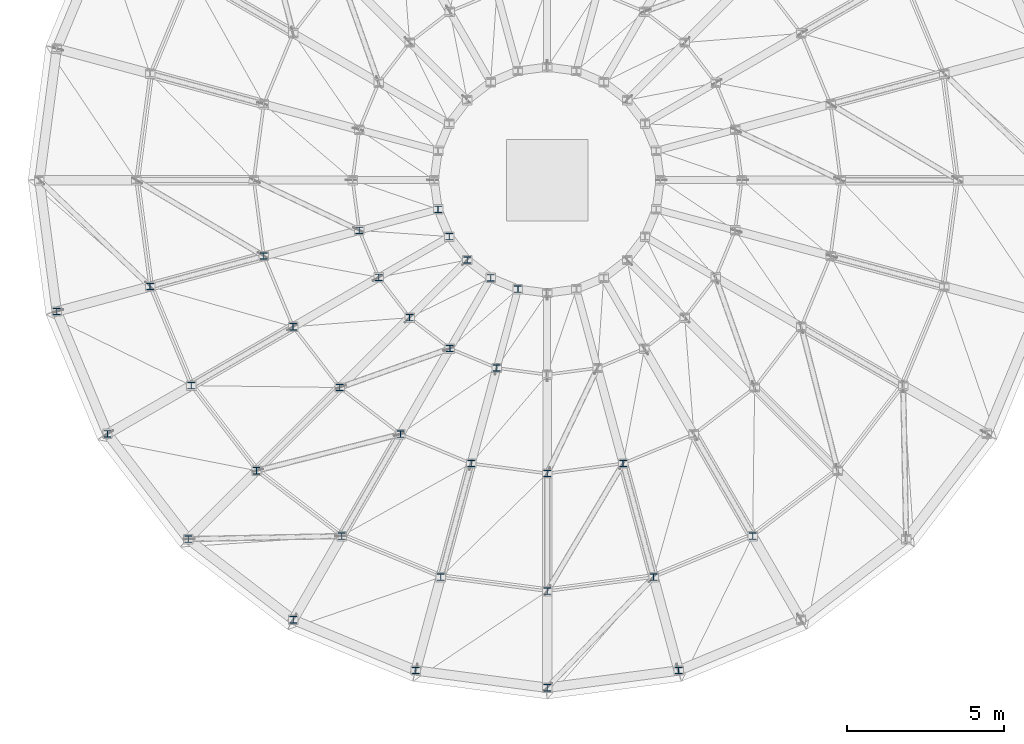
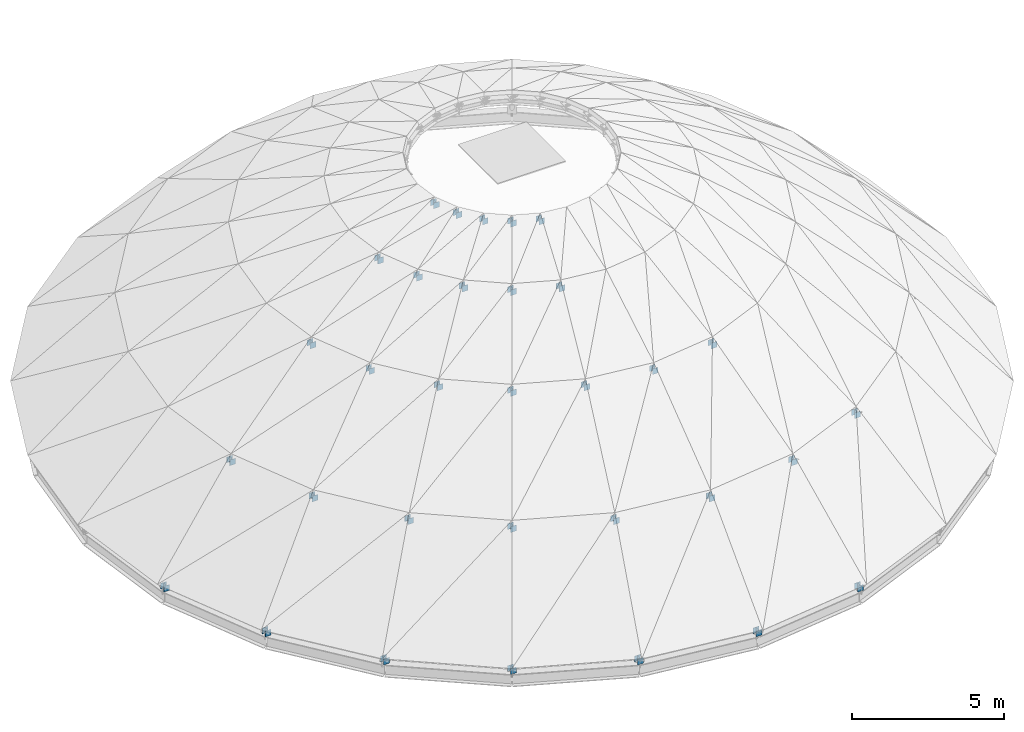
# One storey, part 6 of 19: 32 members.
"""IFC4 building model written with IfcOpenShell, lengths in metres."""

from ifc_helpers import new_model, si_unit, direction, frame, origin, origin_2d, place, context, subcontext, project, spatial, i_section, extrude, material, material_profile, profile_set, type_object, element, save


model = new_model("IFC4")

# Units and contexts
model_context = context("Model", 3, precision=1e-05, world=origin(), true_north=direction((0.0, 1.0)))
body_context = subcontext(model_context, "Body", "Model", "MODEL_VIEW")
ifc_project = project(units=[si_unit("LENGTHUNIT", "METRE"), si_unit("AREAUNIT", "SQUARE_METRE"), si_unit("VOLUMEUNIT", "CUBIC_METRE"), si_unit("PLANEANGLEUNIT", "RADIAN"), si_unit("MASSUNIT", "GRAM", prefix="KILO")], contexts=[model_context])

# Site, building, storey
site_placement = place(None, origin())
site = spatial("IfcSite", under=ifc_project, at=site_placement, CompositionType="ELEMENT")
building_placement = place(site_placement, origin())
building = spatial("IfcBuilding", under=site, at=building_placement, Name="Montecoro Central Library", CompositionType="ELEMENT")
storey_placement = place(building_placement, frame((0.0, 0.0, 25.5)))
storey = spatial("IfcBuildingStorey", under=building, at=storey_placement, Name="ROOF", CompositionType="ELEMENT", Elevation=25.5)

# Members
ifc_material = material(Name="Steel S355", Category="steel")
ifc_material_profile = material_profile(ifc_material, i_section(OverallWidth=0.219970703125, OverallDepth=0.2099609375, WebThickness=0.007080078125, FlangeThickness=0.010986328125, at=origin_2d()), Name="HEA 220")
ifc_profile_set = profile_set([ifc_material_profile], Name="Steel S355")
member_type = type_object("IfcMemberType", Name="MB-TD-HEA220", PredefinedType="STRUT", material=ifc_profile_set)
for number, where, z_axis, x_axis, name in (
    (1, (75.970947265625, 31.2119140625, -8.159912109375), (0.0, 0.0, 1.0), (1.0, 0.0, 0.0), "V1-DOME-STOOL-R0-14"),
    (2, (77.587890625, 27.31005859375, -8.159912109375), (0.0, 0.0, 1.0), (1.0, 0.0, 0.0), "V1-DOME-STOOL-R0-15"),
    (3, (80.158935546875, 23.958984375, -8.159912109375), (0.0, 0.0, 1.0), (1.0, 0.0, 0.0), "V1-DOME-STOOL-R0-16"),
    (4, (83.510009765625, 21.387939453125, -8.159912109375), (0.0, 0.0, 1.0), (1.0, 0.0, 0.0), "V1-DOME-STOOL-R0-17"),
    (5, (87.412109375, 19.77099609375, -8.159912109375), (0.0, 0.0, 1.0), (1.0, 0.0, 0.0), "V1-DOME-STOOL-R0-18"),
    (6, (91.60009765625, 19.219970703125, -8.159912109375), (0.0, 0.0, 1.0), (1.0, 0.0, 0.0), "V1-DOME-STOOL-R0-19"),
    (7, (95.7880859375, 19.77099609375, -8.159912109375), (0.0, 0.0, 1.0), (1.0, 0.0, 0.0), "V1-DOME-STOOL-R0-20"),
    (8, (78.946044921875, 32.009033203125, -4.60009765625), (0.0, 0.0, 1.0), (1.0, 0.0, 0.0), "V1-DOME-STOOL-R1-14"),
    (9, (80.2548828125, 28.85009765625, -4.60009765625), (0.0, 0.0, 1.0), (1.0, 0.0, 0.0), "V1-DOME-STOOL-R1-15"),
    (10, (82.3369140625, 26.136962890625, -4.60009765625), (0.0, 0.0, 1.0), (1.0, 0.0, 0.0), "V1-DOME-STOOL-R1-16"),
    (11, (85.050048828125, 24.054931640625, -4.60009765625), (0.0, 0.0, 1.0), (1.0, 0.0, 0.0), "V1-DOME-STOOL-R1-17"),
    (12, (88.208984375, 22.74609375, -4.60009765625), (0.0, 0.0, 1.0), (1.0, 0.0, 0.0), "V1-DOME-STOOL-R1-18"),
    (13, (91.60009765625, 22.300048828125, -4.60009765625), (0.0, 0.0, 1.0), (1.0, 0.0, 0.0), "V1-DOME-STOOL-R1-19"),
    (14, (94.990966796875, 22.74609375, -4.60009765625), (0.0, 0.0, 1.0), (1.0, 0.0, 0.0), "V1-DOME-STOOL-R1-20"),
    (15, (98.14990234375, 24.054931640625, -4.60009765625), (0.0, 0.0, 1.0), (1.0, 0.0, 0.0), "V1-DOME-STOOL-R1-21"),
    (16, (82.569091796875, 32.97998046875, -1.75), (0.0, 0.0, 1.0), (1.0, 0.0, 0.0), "V1-DOME-STOOL-R2-14"),
    (17, (83.5029296875, 30.72509765625, -1.75), (0.0, 0.0, 1.0), (1.0, 0.0, 0.0), "V1-DOME-STOOL-R2-15"),
    (18, (84.989013671875, 28.7890625, -1.75), (0.0, 0.0, 1.0), (1.0, 0.0, 0.0), "V1-DOME-STOOL-R2-16"),
    (19, (86.925048828125, 27.302978515625, -1.75), (0.0, 0.0, 1.0), (1.0, 0.0, 0.0), "V1-DOME-STOOL-R2-17"),
    (20, (89.179931640625, 26.368896484375, -1.75), (0.0, 0.0, 1.0), (1.0, 0.0, 0.0), "V1-DOME-STOOL-R2-18"),
    (21, (91.60009765625, 26.050048828125, -1.75), (0.0, 0.0, 1.0), (1.0, 0.0, 0.0), "V1-DOME-STOOL-R2-19"),
    (22, (94.02001953125, 26.368896484375, -1.75), (0.0, 0.0, 1.0), (1.0, 0.0, 0.0), "V1-DOME-STOOL-R2-20"),
    (23, (85.611083984375, 33.794921875, 0.10009765625), (0.0, 0.0, 1.0), (1.0, 0.0, 0.0), "V1-DOME-STOOL-R3-14"),
    (24, (86.23095703125, 32.300048828125, 0.10009765625), (0.0, 0.0, 1.0), (1.0, 0.0, 0.0), "V1-DOME-STOOL-R3-15"),
    (25, (87.216064453125, 31.01611328125, 0.10009765625), (0.0, 0.0, 1.0), (1.0, 0.0, 0.0), "V1-DOME-STOOL-R3-16"),
    (26, (88.5, 30.031005859375, 0.10009765625), (0.0, 0.0, 1.0), (1.0, 0.0, 0.0), "V1-DOME-STOOL-R3-17"),
    (27, (89.9951171875, 29.410888671875, 0.10009765625), (0.0, 0.0, 1.0), (1.0, 0.0, 0.0), "V1-DOME-STOOL-R3-18"),
    (28, (88.123046875, 34.468017578125, 1.0400390625), (0.0, 0.0, 1.0), (1.0, 0.0, 0.0), "V1-DOME-STOOL-R4-14"),
    (29, (88.48193359375, 33.60009765625, 1.0400390625), (0.0, 0.0, 1.0), (1.0, 0.0, 0.0), "V1-DOME-STOOL-R4-15"),
    (30, (89.053955078125, 32.85400390625, 1.0400390625), (0.0, 0.0, 1.0), (1.0, 0.0, 0.0), "V1-DOME-STOOL-R4-16"),
    (31, (89.800048828125, 32.281982421875, 1.0400390625), (0.0, 0.0, 1.0), (1.0, 0.0, 0.0), "V1-DOME-STOOL-R4-17"),
    (32, (90.66796875, 31.923095703125, 1.0400390625), (0.0, 0.0, 1.0), (1.0, 0.0, 0.0), "V1-DOME-STOOL-R4-18"),
):
    element("IfcMember", number, at=place(storey_placement, frame(where, z_axis=z_axis, x_axis=x_axis)), inside=storey, type_object=member_type, Name=name, PredefinedType="STRUT", context=body_context, shape_type="SweptSolid", body=[
        extrude(i_section(OverallWidth=0.219970703125, OverallDepth=0.2099609375, WebThickness=0.007080078125, FlangeThickness=0.010986328125, at=origin_2d()), origin(), (0.0, 0.0, 1.0), 0.22998046875),
    ])

save(model, "model.ifc")
